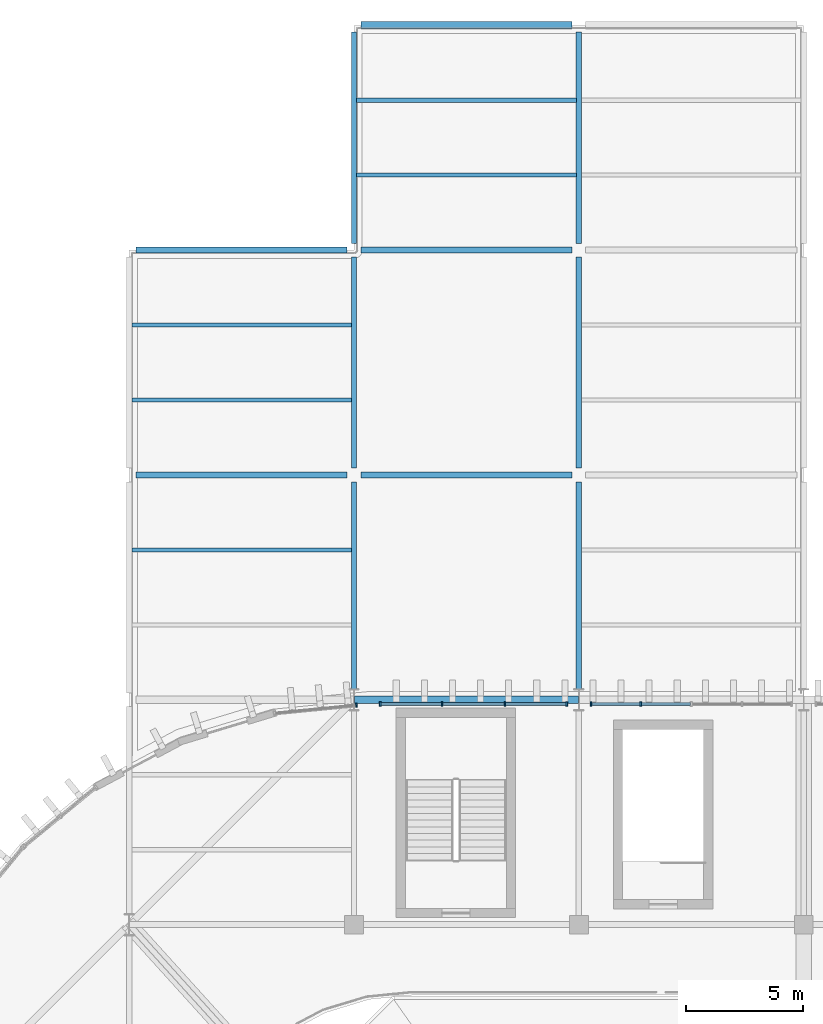
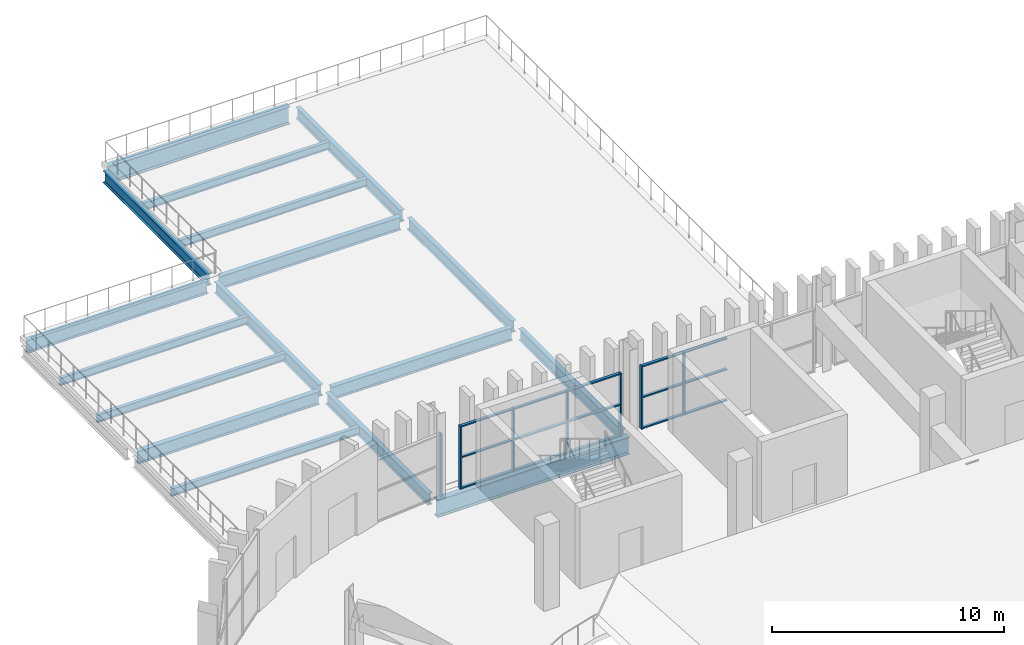
# One storey, part 27 of 69: 22 members, 17 beams, 3 elements without a shape of their own.
"""IFC4 building model written with IfcOpenShell, lengths in metres."""

from ifc_helpers import new_model, si_unit, direction, frame, origin, origin_2d, place, context, subcontext, project, spatial, rectangle, i_section, extrude, material, layer, layer_set, material_profile, profile_set, type_object, element, aggregate, save


model = new_model("IFC4")

# Units and contexts
model_context = context("Model", 3, precision=1e-05, world=origin(), true_north=direction((0.0, 1.0)))
body_context = subcontext(model_context, "Body", "Model", "MODEL_VIEW")
ifc_project = project(units=[si_unit("LENGTHUNIT", "METRE"), si_unit("AREAUNIT", "SQUARE_METRE"), si_unit("VOLUMEUNIT", "CUBIC_METRE"), si_unit("PLANEANGLEUNIT", "RADIAN"), si_unit("MASSUNIT", "GRAM", prefix="KILO")], contexts=[model_context])

# Site, building, storey
site_placement = place(None, origin())
site = spatial("IfcSite", under=ifc_project, at=site_placement, CompositionType="ELEMENT")
building_placement = place(site_placement, origin())
building = spatial("IfcBuilding", under=site, at=building_placement, Name="Caelomonte Colonnade Arena", CompositionType="ELEMENT")
storey_placement = place(building_placement, frame((0.0, 0.0, 18.60009765625)))
storey = spatial("IfcBuildingStorey", under=building, at=storey_placement, Name="L04", CompositionType="ELEMENT", Elevation=18.60009765625)

# Curtain wall, members
ifc_material_1 = material(Name="Bronze anodised aluminium and low-E glazing", Category="aluminium")
ifc_layer_1 = layer(ifc_material_1, 0.179931640625)
ifc_layer_set_1 = layer_set([ifc_layer_1], Name="Bronze anodised aluminium and low-E glazing")
curtain_wall_type_1 = type_object("IfcCurtainWallType", Name="ENV-CW-CW-L04-96-33", PredefinedType="USERDEFINED", material=ifc_layer_set_1)
curtain_wall_1_placement = place(storey_placement, origin())
curtain_wall_1 = element("IfcCurtainWall", 1, at=curtain_wall_1_placement, inside=storey, type_object=curtain_wall_type_1, Name="L04 unitized curtain wall CW-L04-0912-1150", ObjectType="UNITIZED CURTAIN WALL", PredefinedType="USERDEFINED")
ifc_material_2 = material(Name="Bronze anodised aluminium AA6063-T6", Category="aluminium")
ifc_material_profile_1 = material_profile(ifc_material_2, rectangle(XDim=0.070068359375, YDim=0.179931640625, at=origin_2d()), Name="CWM-70X180")
ifc_profile_set_1 = profile_set([ifc_material_profile_1], Name="Bronze anodised aluminium AA6063-T6")
member_type_1 = type_object("IfcMemberType", Name="ENV-CW-MULL1", PredefinedType="MULLION", material=ifc_profile_set_1)
member_1_placement = place(storey_placement, frame((89.041748046875, 115.02001953125, 0.0), z_axis=(0.0, 0.0, 1.0), x_axis=(-1.0, 0.0, 0.0)))
member_1 = element("IfcMember", 2, at=member_1_placement, type_object=member_type_1, Name="CW-L04-96-33 mullion 4", PredefinedType="MULLION", context=body_context, shape_type="SweptSolid", body=[
    extrude(rectangle(XDim=0.070068359375, YDim=0.179931640625, at=origin_2d()), origin(), (0.0, 0.0, 1.0), 3.312744140625),
])
member_2_placement = place(storey_placement, frame((86.91845703125, 115.02001953125, 0.0), z_axis=(0.0, 0.0, 1.0), x_axis=(-1.0, 0.0, 0.0)))
member_2 = element("IfcMember", 3, at=member_2_placement, type_object=member_type_1, Name="CW-L04-96-33 mullion 5", PredefinedType="MULLION", context=body_context, shape_type="SweptSolid", body=[
    extrude(rectangle(XDim=0.070068359375, YDim=0.179931640625, at=origin_2d()), origin(), (0.0, 0.0, 1.0), 3.312744140625),
])

ifc_layer_2 = layer(ifc_material_1, 0.179931640625)
ifc_layer_set_2 = layer_set([ifc_layer_2], Name="Bronze anodised aluminium and low-E glazing")
curtain_wall_type_2 = type_object("IfcCurtainWallType", Name="ENV-CW-CW-L04-90-33", PredefinedType="USERDEFINED", material=ifc_layer_set_2)
curtain_wall_2_placement = place(storey_placement, origin())
curtain_wall_2 = element("IfcCurtainWall", 4, at=curtain_wall_2_placement, inside=storey, type_object=curtain_wall_type_2, Name="L04 unitized curtain wall CW-L04-0819-1150", ObjectType="UNITIZED CURTAIN WALL", PredefinedType="USERDEFINED")
member_3_placement = place(storey_placement, frame((85.881591796875, 115.02001953125, 0.0), z_axis=(0.0, 0.0, 1.0), x_axis=(-1.0, 0.0, 0.0)))
member_3 = element("IfcMember", 5, at=member_3_placement, type_object=member_type_1, Name="CW-L04-90-33 mullion 1", PredefinedType="MULLION", context=body_context, shape_type="SweptSolid", body=[
    extrude(rectangle(XDim=0.070068359375, YDim=0.179931640625, at=origin_2d()), origin(), (0.0, 0.0, 1.0), 3.312744140625),
])
member_4_placement = place(storey_placement, frame((83.23876953125, 115.02001953125, 0.0), z_axis=(0.0, 0.0, 1.0), x_axis=(-1.0, 0.0, 0.0)))
member_4 = element("IfcMember", 6, at=member_4_placement, type_object=member_type_1, Name="CW-L04-90-33 mullion 2", PredefinedType="MULLION", context=body_context, shape_type="SweptSolid", body=[
    extrude(rectangle(XDim=0.070068359375, YDim=0.179931640625, at=origin_2d()), origin(), (0.0, 0.0, 1.0), 3.312744140625),
])
member_5_placement = place(storey_placement, frame((80.561279296875, 115.02001953125, 0.0), z_axis=(0.0, 0.0, 1.0), x_axis=(-1.0, 0.0, 0.0)))
member_5 = element("IfcMember", 7, at=member_5_placement, type_object=member_type_1, Name="CW-L04-90-33 mullion 3", PredefinedType="MULLION", context=body_context, shape_type="SweptSolid", body=[
    extrude(rectangle(XDim=0.070068359375, YDim=0.179931640625, at=origin_2d()), origin(), (0.0, 0.0, 1.0), 3.312744140625),
])
member_6_placement = place(storey_placement, frame((77.91845703125, 115.02001953125, 0.0), z_axis=(0.0, 0.0, 1.0), x_axis=(-1.0, 0.0, 0.0)))
member_6 = element("IfcMember", 8, at=member_6_placement, type_object=member_type_1, Name="CW-L04-90-33 mullion 4", PredefinedType="MULLION", context=body_context, shape_type="SweptSolid", body=[
    extrude(rectangle(XDim=0.070068359375, YDim=0.179931640625, at=origin_2d()), origin(), (0.0, 0.0, 1.0), 3.312744140625),
])

# Curtain wall, member
ifc_layer_3 = layer(ifc_material_1, 0.179931640625)
ifc_layer_set_3 = layer_set([ifc_layer_3], Name="Bronze anodised aluminium and low-E glazing")
curtain_wall_type_3 = type_object("IfcCurtainWallType", Name="ENV-CW-CW-L04-42-33", PredefinedType="USERDEFINED", material=ifc_layer_set_3)
curtain_wall_3_placement = place(storey_placement, origin())
curtain_wall_3 = element("IfcCurtainWall", 9, at=curtain_wall_3_placement, inside=storey, type_object=curtain_wall_type_3, Name="L04 unitized curtain wall CW-L04-0753-1148", ObjectType="UNITIZED CURTAIN WALL", PredefinedType="USERDEFINED")
member_7_placement = place(storey_placement, frame((76.901611328125, 114.969970703125, 0.0), z_axis=(0.0, 0.0, 1.0), x_axis=(-0.995184334909, -0.098021117887, 0.0)))
member_7 = element("IfcMember", 10, at=member_7_placement, type_object=member_type_1, Name="CW-L04-42-33 mullion 1", PredefinedType="MULLION", context=body_context, shape_type="SweptSolid", body=[
    extrude(rectangle(XDim=0.070068359375, YDim=0.179931640625, at=origin_2d()), origin(), (0.0, 0.0, 1.0), 3.312744140625),
])
aggregate(curtain_wall_3, [member_7])

# Member
ifc_material_profile_2 = material_profile(ifc_material_2, rectangle(XDim=0.070068359375, YDim=0.139892578125, at=origin_2d()), Name="CWT-70X140")
ifc_profile_set_2 = profile_set([ifc_material_profile_2], Name="Bronze anodised aluminium AA6063-T6")
member_type_2 = type_object("IfcMemberType", Name="ENV-CW-TRAN1", PredefinedType="USERDEFINED", material=ifc_profile_set_2)
member_8_placement = place(storey_placement, frame((91.1650390625, 115.02001953125, 0.034912109375), z_axis=(-1.0, 0.0, 0.0), x_axis=(0.0, 0.0, 1.0)))
member_8 = element("IfcMember", 11, at=member_8_placement, type_object=member_type_2, Name="CW-L04-96-33 transom 3.1", ObjectType="TRANSOM", PredefinedType="USERDEFINED", context=body_context, shape_type="SweptSolid", body=[
    extrude(rectangle(XDim=0.070068359375, YDim=0.139892578125, at=origin_2d()), origin(), (0.0, 0.0, 1.0), 2.08837890625),
])

member_9_placement = place(storey_placement, frame((91.1650390625, 115.02001953125, 1.65625), z_axis=(-1.0, 0.0, 0.0), x_axis=(0.0, 0.0, 1.0)))
member_9 = element("IfcMember", 12, at=member_9_placement, type_object=member_type_2, Name="CW-L04-96-33 transom 3.2", ObjectType="TRANSOM", PredefinedType="USERDEFINED", context=body_context, shape_type="SweptSolid", body=[
    extrude(rectangle(XDim=0.070068359375, YDim=0.139892578125, at=origin_2d()), origin(), (0.0, 0.0, 1.0), 2.08837890625),
])

member_10_placement = place(storey_placement, frame((91.1650390625, 115.02001953125, 3.277587890625), z_axis=(-1.0, 0.0, 0.0), x_axis=(0.0, 0.0, 1.0)))
member_10 = element("IfcMember", 13, at=member_10_placement, type_object=member_type_2, Name="CW-L04-96-33 transom 3.3", ObjectType="TRANSOM", PredefinedType="USERDEFINED", context=body_context, shape_type="SweptSolid", body=[
    extrude(rectangle(XDim=0.070068359375, YDim=0.139892578125, at=origin_2d()), origin(), (0.0, 0.0, 1.0), 2.08837890625),
])

member_11_placement = place(storey_placement, frame((89.0068359375, 115.02001953125, 0.034912109375), z_axis=(-1.0, 0.0, 0.0), x_axis=(0.0, 0.0, 1.0)))
member_11 = element("IfcMember", 14, at=member_11_placement, type_object=member_type_2, Name="CW-L04-96-33 transom 4.1", ObjectType="TRANSOM", PredefinedType="USERDEFINED", context=body_context, shape_type="SweptSolid", body=[
    extrude(rectangle(XDim=0.070068359375, YDim=0.139892578125, at=origin_2d()), origin(), (0.0, 0.0, 1.0), 2.05322265625),
])

member_12_placement = place(storey_placement, frame((89.0068359375, 115.02001953125, 1.65625), z_axis=(-1.0, 0.0, 0.0), x_axis=(0.0, 0.0, 1.0)))
member_12 = element("IfcMember", 15, at=member_12_placement, type_object=member_type_2, Name="CW-L04-96-33 transom 4.2", ObjectType="TRANSOM", PredefinedType="USERDEFINED", context=body_context, shape_type="SweptSolid", body=[
    extrude(rectangle(XDim=0.070068359375, YDim=0.139892578125, at=origin_2d()), origin(), (0.0, 0.0, 1.0), 2.05322265625),
])

member_13_placement = place(storey_placement, frame((89.0068359375, 115.02001953125, 3.277587890625), z_axis=(-1.0, 0.0, 0.0), x_axis=(0.0, 0.0, 1.0)))
member_13 = element("IfcMember", 16, at=member_13_placement, type_object=member_type_2, Name="CW-L04-96-33 transom 4.3", ObjectType="TRANSOM", PredefinedType="USERDEFINED", context=body_context, shape_type="SweptSolid", body=[
    extrude(rectangle(XDim=0.070068359375, YDim=0.139892578125, at=origin_2d()), origin(), (0.0, 0.0, 1.0), 2.05322265625),
])

aggregate(curtain_wall_1, [member_1, member_2, member_8, member_9, member_10, member_11, member_12, member_13])

member_14_placement = place(storey_placement, frame((85.846435546875, 115.02001953125, 0.034912109375), z_axis=(-1.0, 0.0, 0.0), x_axis=(0.0, 0.0, 1.0)))
member_14 = element("IfcMember", 17, at=member_14_placement, type_object=member_type_2, Name="CW-L04-90-33 transom 1.1", ObjectType="TRANSOM", PredefinedType="USERDEFINED", context=body_context, shape_type="SweptSolid", body=[
    extrude(rectangle(XDim=0.070068359375, YDim=0.139892578125, at=origin_2d()), origin(), (0.0, 0.0, 1.0), 2.572509765625),
])

member_15_placement = place(storey_placement, frame((85.846435546875, 115.02001953125, 1.65625), z_axis=(-1.0, 0.0, 0.0), x_axis=(0.0, 0.0, 1.0)))
member_15 = element("IfcMember", 18, at=member_15_placement, type_object=member_type_2, Name="CW-L04-90-33 transom 1.2", ObjectType="TRANSOM", PredefinedType="USERDEFINED", context=body_context, shape_type="SweptSolid", body=[
    extrude(rectangle(XDim=0.070068359375, YDim=0.139892578125, at=origin_2d()), origin(), (0.0, 0.0, 1.0), 2.572509765625),
])

member_16_placement = place(storey_placement, frame((85.846435546875, 115.02001953125, 3.277587890625), z_axis=(-1.0, 0.0, 0.0), x_axis=(0.0, 0.0, 1.0)))
member_16 = element("IfcMember", 19, at=member_16_placement, type_object=member_type_2, Name="CW-L04-90-33 transom 1.3", ObjectType="TRANSOM", PredefinedType="USERDEFINED", context=body_context, shape_type="SweptSolid", body=[
    extrude(rectangle(XDim=0.070068359375, YDim=0.139892578125, at=origin_2d()), origin(), (0.0, 0.0, 1.0), 2.572509765625),
])

member_17_placement = place(storey_placement, frame((83.203857421875, 115.02001953125, 0.034912109375), z_axis=(-1.0, 0.0, 0.0), x_axis=(0.0, 0.0, 1.0)))
member_17 = element("IfcMember", 20, at=member_17_placement, type_object=member_type_2, Name="CW-L04-90-33 transom 2.1", ObjectType="TRANSOM", PredefinedType="USERDEFINED", context=body_context, shape_type="SweptSolid", body=[
    extrude(rectangle(XDim=0.070068359375, YDim=0.139892578125, at=origin_2d()), origin(), (0.0, 0.0, 1.0), 2.607666015625),
])

member_18_placement = place(storey_placement, frame((83.203857421875, 115.02001953125, 1.65625), z_axis=(-1.0, 0.0, 0.0), x_axis=(0.0, 0.0, 1.0)))
member_18 = element("IfcMember", 21, at=member_18_placement, type_object=member_type_2, Name="CW-L04-90-33 transom 2.2", ObjectType="TRANSOM", PredefinedType="USERDEFINED", context=body_context, shape_type="SweptSolid", body=[
    extrude(rectangle(XDim=0.070068359375, YDim=0.139892578125, at=origin_2d()), origin(), (0.0, 0.0, 1.0), 2.607666015625),
])

member_19_placement = place(storey_placement, frame((83.203857421875, 115.02001953125, 3.277587890625), z_axis=(-1.0, 0.0, 0.0), x_axis=(0.0, 0.0, 1.0)))
member_19 = element("IfcMember", 22, at=member_19_placement, type_object=member_type_2, Name="CW-L04-90-33 transom 2.3", ObjectType="TRANSOM", PredefinedType="USERDEFINED", context=body_context, shape_type="SweptSolid", body=[
    extrude(rectangle(XDim=0.070068359375, YDim=0.139892578125, at=origin_2d()), origin(), (0.0, 0.0, 1.0), 2.607666015625),
])

member_20_placement = place(storey_placement, frame((80.526123046875, 115.02001953125, 0.034912109375), z_axis=(-1.0, 0.0, 0.0), x_axis=(0.0, 0.0, 1.0)))
member_20 = element("IfcMember", 23, at=member_20_placement, type_object=member_type_2, Name="CW-L04-90-33 transom 3.1", ObjectType="TRANSOM", PredefinedType="USERDEFINED", context=body_context, shape_type="SweptSolid", body=[
    extrude(rectangle(XDim=0.070068359375, YDim=0.139892578125, at=origin_2d()), origin(), (0.0, 0.0, 1.0), 2.572509765625),
])

member_21_placement = place(storey_placement, frame((80.526123046875, 115.02001953125, 1.65625), z_axis=(-1.0, 0.0, 0.0), x_axis=(0.0, 0.0, 1.0)))
member_21 = element("IfcMember", 24, at=member_21_placement, type_object=member_type_2, Name="CW-L04-90-33 transom 3.2", ObjectType="TRANSOM", PredefinedType="USERDEFINED", context=body_context, shape_type="SweptSolid", body=[
    extrude(rectangle(XDim=0.070068359375, YDim=0.139892578125, at=origin_2d()), origin(), (0.0, 0.0, 1.0), 2.572509765625),
])

member_22_placement = place(storey_placement, frame((80.526123046875, 115.02001953125, 3.277587890625), z_axis=(-1.0, 0.0, 0.0), x_axis=(0.0, 0.0, 1.0)))
member_22 = element("IfcMember", 25, at=member_22_placement, type_object=member_type_2, Name="CW-L04-90-33 transom 3.3", ObjectType="TRANSOM", PredefinedType="USERDEFINED", context=body_context, shape_type="SweptSolid", body=[
    extrude(rectangle(XDim=0.070068359375, YDim=0.139892578125, at=origin_2d()), origin(), (0.0, 0.0, 1.0), 2.572509765625),
])

aggregate(curtain_wall_2, [member_3, member_4, member_5, member_6, member_14, member_15, member_16, member_17, member_18, member_19, member_20, member_21, member_22])

# Beams
ifc_material_3 = material(Name="Wide-flange steel ASTM A992 Grade 50", Category="steel")
ifc_material_profile_3 = material_profile(ifc_material_3, i_section(OverallWidth=0.307861328125, OverallDepth=0.927001953125, WebThickness=0.019287109375, FlangeThickness=0.031982421875, FilletRadius=0.020263671875, at=origin_2d()), Name="W36X194")
ifc_profile_set_3 = profile_set([ifc_material_profile_3], Name="Wide-flange steel ASTM A992 Grade 50")
beam_type_1 = type_object("IfcBeamType", Name="STR-BM-EAVES2", PredefinedType="SPANDREL", material=ifc_profile_set_3)
beam_1_placement = place(storey_placement, frame((76.81201171875, 115.199951171875, -0.7236328125), z_axis=(1.0, 0.0, 0.0), x_axis=(0.0, 1.0, 0.0)))
element("IfcBeam", 26, at=beam_1_placement, inside=storey, type_object=beam_type_1, Name="L04 girder BMX-L04-0768-1152", PredefinedType="SPANDREL", context=body_context, shape_type="SweptSolid", body=[
    extrude(i_section(OverallWidth=0.307861328125, OverallDepth=0.927001953125, WebThickness=0.019287109375, FlangeThickness=0.031982421875, FilletRadius=0.020263671875, at=origin_2d()), origin(), (0.0, 0.0, 1.0), 9.575927734375),
])
beam_2_placement = place(storey_placement, frame((77.092041015625, 144.0, -0.7236328125), z_axis=(1.0, 0.0, 0.0), x_axis=(0.0, 1.0, 0.0)))
element("IfcBeam", 27, at=beam_2_placement, inside=storey, type_object=beam_type_1, Name="L04 girder BMX-L04-0768-1440", PredefinedType="SPANDREL", context=body_context, shape_type="SweptSolid", body=[
    extrude(i_section(OverallWidth=0.307861328125, OverallDepth=0.927001953125, WebThickness=0.019287109375, FlangeThickness=0.031982421875, FilletRadius=0.020263671875, at=origin_2d()), origin(), (0.0, 0.0, 1.0), 9.015869140625),
])
ifc_material_profile_4 = material_profile(ifc_material_3, i_section(OverallWidth=0.227783203125, OverallDepth=0.60205078125, WebThickness=0.010498046875, FlangeThickness=0.014892578125, FilletRadius=0.0126953125, at=origin_2d()), Name="W24X68")
ifc_profile_set_4 = profile_set([ifc_material_profile_4], Name="Wide-flange steel ASTM A992 Grade 50")
beam_type_2 = type_object("IfcBeamType", Name="STR-BM-GIRD24B", PredefinedType="SPANDREL", material=ifc_profile_set_4)
beam_3_placement = place(storey_placement, frame((76.800048828125, 115.665771484375, -0.56103515625), z_axis=(0.0, 1.0, 0.0), x_axis=(-1.0, 0.0, 0.0)))
element("IfcBeam", 28, at=beam_3_placement, inside=storey, type_object=beam_type_2, Name="L04 girder BMY-L04-0768-1152", PredefinedType="SPANDREL", context=body_context, shape_type="SweptSolid", body=[
    extrude(i_section(OverallWidth=0.227783203125, OverallDepth=0.60205078125, WebThickness=0.010498046875, FlangeThickness=0.014892578125, FilletRadius=0.0126953125, at=origin_2d()), origin(), (0.0, 0.0, 1.0), 8.84228515625),
])
beam_4_placement = place(storey_placement, frame((76.800048828125, 125.092041015625, -0.56103515625), z_axis=(0.0, 1.0, 0.0), x_axis=(-1.0, 0.0, 0.0)))
element("IfcBeam", 29, at=beam_4_placement, inside=storey, type_object=beam_type_2, Name="L04 girder BMY-L04-0768-1248", PredefinedType="SPANDREL", context=body_context, shape_type="SweptSolid", body=[
    extrude(i_section(OverallWidth=0.227783203125, OverallDepth=0.60205078125, WebThickness=0.010498046875, FlangeThickness=0.014892578125, FilletRadius=0.0126953125, at=origin_2d()), origin(), (0.0, 0.0, 1.0), 9.015869140625),
])
beam_5_placement = place(storey_placement, frame((76.800048828125, 134.69189453125, -0.56103515625), z_axis=(0.0, 1.0, 0.0), x_axis=(-1.0, 0.0, 0.0)))
element("IfcBeam", 30, at=beam_5_placement, inside=storey, type_object=beam_type_2, Name="L04 girder BMY-L04-0768-1344", PredefinedType="SPANDREL", context=body_context, shape_type="SweptSolid", body=[
    extrude(i_section(OverallWidth=0.227783203125, OverallDepth=0.60205078125, WebThickness=0.010498046875, FlangeThickness=0.014892578125, FilletRadius=0.0126953125, at=origin_2d()), origin(), (0.0, 0.0, 1.0), 9.01611328125),
])
beam_6_placement = place(storey_placement, frame((86.39990234375, 115.665771484375, -0.56103515625), z_axis=(0.0, 1.0, 0.0), x_axis=(-1.0, 0.0, 0.0)))
element("IfcBeam", 31, at=beam_6_placement, inside=storey, type_object=beam_type_2, Name="L04 girder BMY-L04-0864-1152", PredefinedType="SPANDREL", context=body_context, shape_type="SweptSolid", body=[
    extrude(i_section(OverallWidth=0.227783203125, OverallDepth=0.60205078125, WebThickness=0.010498046875, FlangeThickness=0.014892578125, FilletRadius=0.0126953125, at=origin_2d()), origin(), (0.0, 0.0, 1.0), 8.84228515625),
])
beam_7_placement = place(storey_placement, frame((86.39990234375, 125.092041015625, -0.56103515625), z_axis=(0.0, 1.0, 0.0), x_axis=(-1.0, 0.0, 0.0)))
element("IfcBeam", 32, at=beam_7_placement, inside=storey, type_object=beam_type_2, Name="L04 girder BMY-L04-0864-1248", PredefinedType="SPANDREL", context=body_context, shape_type="SweptSolid", body=[
    extrude(i_section(OverallWidth=0.227783203125, OverallDepth=0.60205078125, WebThickness=0.010498046875, FlangeThickness=0.014892578125, FilletRadius=0.0126953125, at=origin_2d()), origin(), (0.0, 0.0, 1.0), 9.015869140625),
])
beam_8_placement = place(storey_placement, frame((86.39990234375, 134.69189453125, -0.56103515625), z_axis=(0.0, 1.0, 0.0), x_axis=(-1.0, 0.0, 0.0)))
element("IfcBeam", 33, at=beam_8_placement, inside=storey, type_object=beam_type_2, Name="L04 girder BMY-L04-0864-1344", PredefinedType="SPANDREL", context=body_context, shape_type="SweptSolid", body=[
    extrude(i_section(OverallWidth=0.227783203125, OverallDepth=0.60205078125, WebThickness=0.010498046875, FlangeThickness=0.014892578125, FilletRadius=0.0126953125, at=origin_2d()), origin(), (0.0, 0.0, 1.0), 9.01611328125),
])
ifc_material_profile_5 = material_profile(ifc_material_3, i_section(OverallWidth=0.253662109375, OverallDepth=0.683349609375, WebThickness=0.012451171875, FlangeThickness=0.018798828125, FilletRadius=0.01513671875, at=origin_2d()), Name="W27X94")
ifc_profile_set_5 = profile_set([ifc_material_profile_5], Name="Wide-flange steel ASTM A992 Grade 50")
beam_type_3 = type_object("IfcBeamType", Name="STR-BM-GIRD27", PredefinedType="BEAM", material=ifc_profile_set_5)
beam_9_placement = place(storey_placement, frame((67.491943359375, 124.800048828125, -0.601806640625), z_axis=(1.0, 0.0, 0.0), x_axis=(0.0, 1.0, 0.0)))
element("IfcBeam", 34, at=beam_9_placement, inside=storey, type_object=beam_type_3, Name="L04 girder BMX-L04-0672-1248", PredefinedType="BEAM", context=body_context, shape_type="SweptSolid", body=[
    extrude(i_section(OverallWidth=0.253662109375, OverallDepth=0.683349609375, WebThickness=0.012451171875, FlangeThickness=0.018798828125, FilletRadius=0.01513671875, at=origin_2d()), origin(), (0.0, 0.0, 1.0), 9.01611328125),
])
beam_10_placement = place(storey_placement, frame((77.092041015625, 124.800048828125, -0.601806640625), z_axis=(1.0, 0.0, 0.0), x_axis=(0.0, 1.0, 0.0)))
element("IfcBeam", 35, at=beam_10_placement, inside=storey, type_object=beam_type_3, Name="L04 girder BMX-L04-0768-1248", PredefinedType="BEAM", context=body_context, shape_type="SweptSolid", body=[
    extrude(i_section(OverallWidth=0.253662109375, OverallDepth=0.683349609375, WebThickness=0.012451171875, FlangeThickness=0.018798828125, FilletRadius=0.01513671875, at=origin_2d()), origin(), (0.0, 0.0, 1.0), 9.015869140625),
])
beam_11_placement = place(storey_placement, frame((67.491943359375, 134.39990234375, -0.601806640625), z_axis=(1.0, 0.0, 0.0), x_axis=(0.0, 1.0, 0.0)))
element("IfcBeam", 36, at=beam_11_placement, inside=storey, type_object=beam_type_3, Name="L04 girder BMX-L04-0672-1344", PredefinedType="BEAM", context=body_context, shape_type="SweptSolid", body=[
    extrude(i_section(OverallWidth=0.253662109375, OverallDepth=0.683349609375, WebThickness=0.012451171875, FlangeThickness=0.018798828125, FilletRadius=0.01513671875, at=origin_2d()), origin(), (0.0, 0.0, 1.0), 9.01611328125),
])
beam_12_placement = place(storey_placement, frame((77.092041015625, 134.39990234375, -0.601806640625), z_axis=(1.0, 0.0, 0.0), x_axis=(0.0, 1.0, 0.0)))
element("IfcBeam", 37, at=beam_12_placement, inside=storey, type_object=beam_type_3, Name="L04 girder BMX-L04-0768-1344", PredefinedType="BEAM", context=body_context, shape_type="SweptSolid", body=[
    extrude(i_section(OverallWidth=0.253662109375, OverallDepth=0.683349609375, WebThickness=0.012451171875, FlangeThickness=0.018798828125, FilletRadius=0.01513671875, at=origin_2d()), origin(), (0.0, 0.0, 1.0), 9.015869140625),
])
ifc_material_profile_6 = material_profile(ifc_material_3, i_section(OverallWidth=0.177734375, OverallDepth=0.406494140625, WebThickness=0.0078125, FlangeThickness=0.0126953125, FilletRadius=0.01025390625, at=origin_2d()), Name="W16X40")
ifc_profile_set_6 = profile_set([ifc_material_profile_6], Name="Wide-flange steel ASTM A992 Grade 50")
beam_type_4 = type_object("IfcBeamType", Name="STR-BM-JOIST16", PredefinedType="JOIST", material=ifc_profile_set_6)
for number, where, z_axis, x_axis, name in (
    (38, (67.308837890625, 121.60009765625, -0.46337890625), (1.0, 0.0, 0.0), (0.0, 1.0, 0.0), "L04 secondary joist 2"),
    (39, (67.308837890625, 128.0, -0.46337890625), (1.0, 0.0, 0.0), (0.0, 1.0, 0.0), "L04 secondary joist 1"),
    (40, (67.308837890625, 131.199951171875, -0.46337890625), (1.0, 0.0, 0.0), (0.0, 1.0, 0.0), "L04 secondary joist 2"),
):
    element("IfcBeam", number, at=place(storey_placement, frame(where, z_axis=z_axis, x_axis=x_axis)), inside=storey, type_object=beam_type_4, Name=name, PredefinedType="JOIST", context=body_context, shape_type="SweptSolid", body=[
        extrude(i_section(OverallWidth=0.177734375, OverallDepth=0.406494140625, WebThickness=0.0078125, FlangeThickness=0.0126953125, FilletRadius=0.01025390625, at=origin_2d()), origin(), (0.0, 0.0, 1.0), 9.38232421875),
    ])
for number, where, z_axis, x_axis, name in (
    (41, (76.908935546875, 137.60009765625, -0.46337890625), (1.0, 0.0, 0.0), (0.0, 1.0, 0.0), "L04 secondary joist 1"),
    (42, (76.908935546875, 140.800048828125, -0.46337890625), (1.0, 0.0, 0.0), (0.0, 1.0, 0.0), "L04 secondary joist 2"),
):
    element("IfcBeam", number, at=place(storey_placement, frame(where, z_axis=z_axis, x_axis=x_axis)), inside=storey, type_object=beam_type_4, Name=name, PredefinedType="JOIST", context=body_context, shape_type="SweptSolid", body=[
        extrude(i_section(OverallWidth=0.177734375, OverallDepth=0.406494140625, WebThickness=0.0078125, FlangeThickness=0.0126953125, FilletRadius=0.01025390625, at=origin_2d()), origin(), (0.0, 0.0, 1.0), 9.382080078125),
    ])

save(model, "model.ifc")
